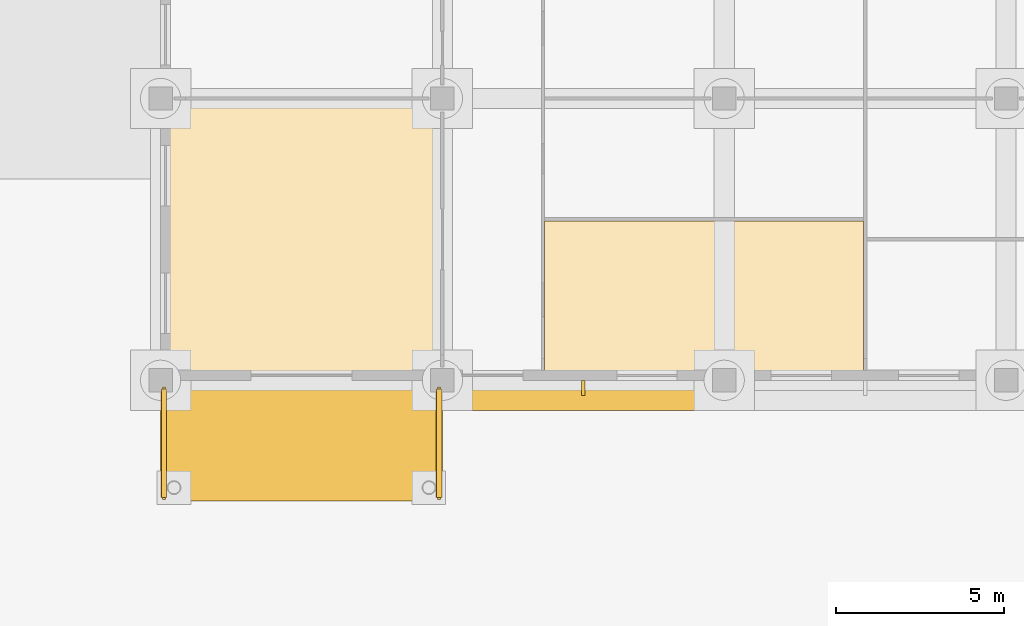
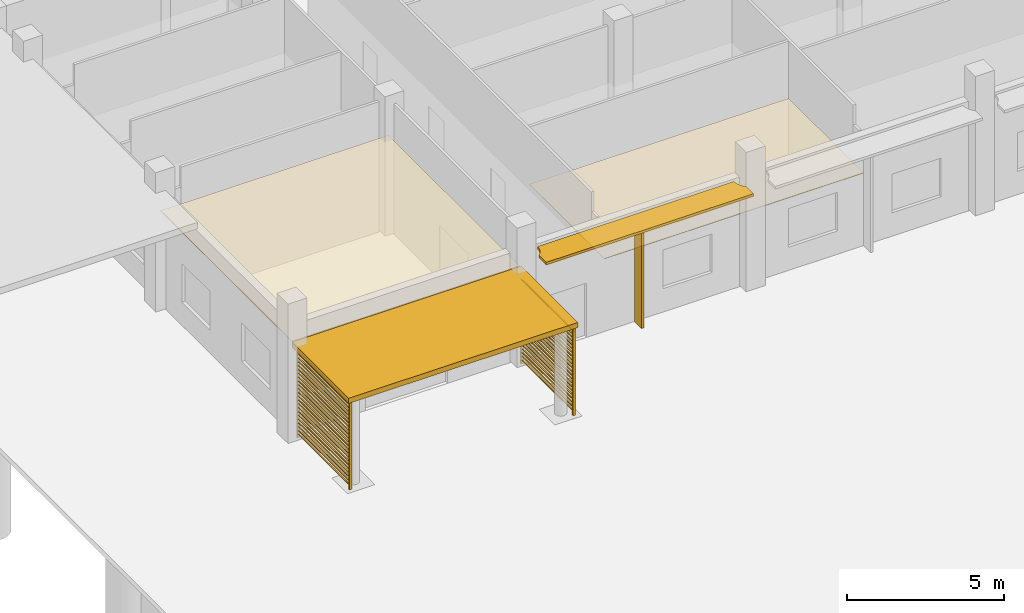
# One storey, part 116 of 146: 51 shading devices, 2 coverings.
"""IFC4 building model written with IfcOpenShell, lengths in metres."""

from ifc_helpers import new_model, si_unit, direction, frame, origin, origin_2d, place, context, subcontext, project, spatial, polyline, rectangle, outline, extrude, material, layer, layer_set, material_profile, profile_set, type_object, element, save


model = new_model("IFC4")

# Units and contexts
model_context = context("Model", 3, precision=1e-05, world=origin(), true_north=direction((0.0, 1.0)))
body_context = subcontext(model_context, "Body", "Model", "MODEL_VIEW")
ifc_project = project(units=[si_unit("LENGTHUNIT", "METRE"), si_unit("AREAUNIT", "SQUARE_METRE"), si_unit("VOLUMEUNIT", "CUBIC_METRE"), si_unit("PLANEANGLEUNIT", "RADIAN"), si_unit("MASSUNIT", "GRAM", prefix="KILO")], contexts=[model_context])

# Site, building, storey
site_placement = place(None, origin())
site = spatial("IfcSite", under=ifc_project, at=site_placement, CompositionType="ELEMENT")
building_placement = place(site_placement, origin())
building = spatial("IfcBuilding", under=site, at=building_placement, Name="Bougainvillea Quay General Hospital", CompositionType="ELEMENT")
storey_placement = place(building_placement, origin())
storey = spatial("IfcBuildingStorey", under=building, at=storey_placement, Name="L00", CompositionType="ELEMENT", Elevation=0.0)

# Shading devices
ifc_material_1 = material(Name="Powder-coated aluminium canopy soffit and fascia, white", Category="aluminium")
ifc_layer_1 = layer(ifc_material_1, 0.199951171875)
ifc_layer_set_1 = layer_set([ifc_layer_1], Name="Powder-coated aluminium canopy soffit and fascia, white")
shading_device_type_1 = type_object("IfcShadingDeviceType", Name="Entrance canopy 200", PredefinedType="AWNING", material=ifc_layer_set_1)
shading_device_1_placement = place(storey_placement, frame((0.0, 0.0, 3.39990234375)))
element("IfcShadingDevice", 1, at=shading_device_1_placement, inside=storey, type_object=shading_device_type_1, Name="Entrance canopy walkin", PredefinedType="AWNING", context=body_context, shape_type="SweptSolid", body=[
    extrude(outline(polyline([(8.39990234375, 30.0), (16.800048828125, 30.0), (16.800048828125, 33.60009765625), (8.39990234375, 33.60009765625), (8.39990234375, 30.0)])), origin(), (0.0, 0.0, 1.0), 0.2001953125),
])
ifc_material_2 = material(Name="Extruded aluminium louvre frame, powder-coated grey", Category="aluminium")
ifc_material_profile_1 = material_profile(ifc_material_2, rectangle(XDim=0.10009765625, YDim=0.06005859375, at=origin_2d()))
ifc_profile_set_1 = profile_set([ifc_material_profile_1], Name="Extruded aluminium louvre frame, powder-coated grey")
shading_device_type_2 = type_object("IfcShadingDeviceType", Name="Louvre frame post 100x60", PredefinedType="JALOUSIE", material=ifc_profile_set_1)
for number, where, z_axis, x_axis, name in (
    (2, (8.5, 30.080078125, 0.0), (0.0, 0.0, 1.0), (-1.0, 0.0, 0.0), "Louvre post W.1"),
    (3, (8.5, 33.3701171875, 0.0), (0.0, 0.0, 1.0), (-1.0, 0.0, 0.0), "Louvre post W.2"),
    (4, (16.699951171875, 30.080078125, 0.0), (0.0, 0.0, 1.0), (-1.0, 0.0, 0.0), "Louvre post E.1"),
    (5, (16.699951171875, 33.3701171875, 0.0), (0.0, 0.0, 1.0), (-1.0, 0.0, 0.0), "Louvre post E.2"),
):
    element("IfcShadingDevice", number, at=place(storey_placement, frame(where, z_axis=z_axis, x_axis=x_axis)), inside=storey, type_object=shading_device_type_2, Name=name, PredefinedType="JALOUSIE", context=body_context, shape_type="SweptSolid", body=[
        extrude(rectangle(XDim=0.10009765625, YDim=0.06005859375, at=origin_2d()), origin(), (0.0, 0.0, 1.0), 3.39990234375),
    ])
ifc_material_3 = material(Name="Extruded aluminium storm louvre blade, powder-coated grey", Category="aluminium")
ifc_material_profile_2 = material_profile(ifc_material_3, rectangle(XDim=0.219970703125, YDim=0.014892578125, at=origin_2d()))
ifc_profile_set_2 = profile_set([ifc_material_profile_2], Name="Extruded aluminium storm louvre blade, powder-coated grey")
shading_device_type_3 = type_object("IfcShadingDeviceType", Name="Storm louvre blade 220", PredefinedType="JALOUSIE", material=ifc_profile_set_2)
for number, where, z_axis, x_axis, name in (
    (6, (8.5, 30.110107421875, 0.147705078125), (0.0, 1.0, 0.0), (-0.707106781187, 0.0, 0.707106781187), "Storm louvre blade W.1"),
    (7, (8.5, 30.110107421875, 0.295654296875), (0.0, 1.0, 0.0), (-0.707106781187, 0.0, 0.707106781187), "Storm louvre blade W.2"),
    (8, (8.5, 30.110107421875, 0.443359375), (0.0, 1.0, 0.0), (-0.707106781187, 0.0, 0.707106781187), "Storm louvre blade W.3"),
    (9, (8.5, 30.110107421875, 0.59130859375), (0.0, 1.0, 0.0), (-0.707106781187, 0.0, 0.707106781187), "Storm louvre blade W.4"),
    (10, (8.5, 30.110107421875, 0.739013671875), (0.0, 1.0, 0.0), (-0.707106781187, 0.0, 0.707106781187), "Storm louvre blade W.5"),
    (11, (8.5, 30.110107421875, 0.886962890625), (0.0, 1.0, 0.0), (-0.707106781187, 0.0, 0.707106781187), "Storm louvre blade W.6"),
    (12, (8.5, 30.110107421875, 1.03466796875), (0.0, 1.0, 0.0), (-0.707106781187, 0.0, 0.707106781187), "Storm louvre blade W.7"),
    (13, (8.5, 30.110107421875, 1.1826171875), (0.0, 1.0, 0.0), (-0.707106781187, 0.0, 0.707106781187), "Storm louvre blade W.8"),
    (14, (8.5, 30.110107421875, 1.330322265625), (0.0, 1.0, 0.0), (-0.707106781187, 0.0, 0.707106781187), "Storm louvre blade W.9"),
    (15, (8.5, 30.110107421875, 1.478271484375), (0.0, 1.0, 0.0), (-0.707106781187, 0.0, 0.707106781187), "Storm louvre blade W.10"),
    (16, (8.5, 30.110107421875, 1.6259765625), (0.0, 1.0, 0.0), (-0.707106781187, 0.0, 0.707106781187), "Storm louvre blade W.11"),
    (17, (8.5, 30.110107421875, 1.77392578125), (0.0, 1.0, 0.0), (-0.707106781187, 0.0, 0.707106781187), "Storm louvre blade W.12"),
    (18, (8.5, 30.110107421875, 1.921630859375), (0.0, 1.0, 0.0), (-0.707106781187, 0.0, 0.707106781187), "Storm louvre blade W.13"),
    (19, (8.5, 30.110107421875, 2.069580078125), (0.0, 1.0, 0.0), (-0.707106781187, 0.0, 0.707106781187), "Storm louvre blade W.14"),
    (20, (8.5, 30.110107421875, 2.21728515625), (0.0, 1.0, 0.0), (-0.707106781187, 0.0, 0.707106781187), "Storm louvre blade W.15"),
    (21, (8.5, 30.110107421875, 2.365234375), (0.0, 1.0, 0.0), (-0.707106781187, 0.0, 0.707106781187), "Storm louvre blade W.16"),
    (22, (8.5, 30.110107421875, 2.512939453125), (0.0, 1.0, 0.0), (-0.707106781187, 0.0, 0.707106781187), "Storm louvre blade W.17"),
    (23, (8.5, 30.110107421875, 2.660888671875), (0.0, 1.0, 0.0), (-0.707106781187, 0.0, 0.707106781187), "Storm louvre blade W.18"),
    (24, (8.5, 30.110107421875, 2.80859375), (0.0, 1.0, 0.0), (-0.707106781187, 0.0, 0.707106781187), "Storm louvre blade W.19"),
    (25, (8.5, 30.110107421875, 2.95654296875), (0.0, 1.0, 0.0), (-0.707106781187, 0.0, 0.707106781187), "Storm louvre blade W.20"),
    (26, (8.5, 30.110107421875, 3.104248046875), (0.0, 1.0, 0.0), (-0.707106781187, 0.0, 0.707106781187), "Storm louvre blade W.21"),
    (27, (8.5, 30.110107421875, 3.252197265625), (0.0, 1.0, 0.0), (-0.707106781187, 0.0, 0.707106781187), "Storm louvre blade W.22"),
    (28, (16.699951171875, 30.110107421875, 0.147705078125), (0.0, 1.0, 0.0), (-0.707106781187, 0.0, 0.707106781187), "Storm louvre blade E.1"),
    (29, (16.699951171875, 30.110107421875, 0.295654296875), (0.0, 1.0, 0.0), (-0.707106781187, 0.0, 0.707106781187), "Storm louvre blade E.2"),
    (30, (16.699951171875, 30.110107421875, 0.443359375), (0.0, 1.0, 0.0), (-0.707106781187, 0.0, 0.707106781187), "Storm louvre blade E.3"),
    (31, (16.699951171875, 30.110107421875, 0.59130859375), (0.0, 1.0, 0.0), (-0.707106781187, 0.0, 0.707106781187), "Storm louvre blade E.4"),
    (32, (16.699951171875, 30.110107421875, 0.739013671875), (0.0, 1.0, 0.0), (-0.707106781187, 0.0, 0.707106781187), "Storm louvre blade E.5"),
    (33, (16.699951171875, 30.110107421875, 0.886962890625), (0.0, 1.0, 0.0), (-0.707106781187, 0.0, 0.707106781187), "Storm louvre blade E.6"),
    (34, (16.699951171875, 30.110107421875, 1.03466796875), (0.0, 1.0, 0.0), (-0.707106781187, 0.0, 0.707106781187), "Storm louvre blade E.7"),
    (35, (16.699951171875, 30.110107421875, 1.1826171875), (0.0, 1.0, 0.0), (-0.707106781187, 0.0, 0.707106781187), "Storm louvre blade E.8"),
    (36, (16.699951171875, 30.110107421875, 1.330322265625), (0.0, 1.0, 0.0), (-0.707106781187, 0.0, 0.707106781187), "Storm louvre blade E.9"),
    (37, (16.699951171875, 30.110107421875, 1.478271484375), (0.0, 1.0, 0.0), (-0.707106781187, 0.0, 0.707106781187), "Storm louvre blade E.10"),
    (38, (16.699951171875, 30.110107421875, 1.6259765625), (0.0, 1.0, 0.0), (-0.707106781187, 0.0, 0.707106781187), "Storm louvre blade E.11"),
    (39, (16.699951171875, 30.110107421875, 1.77392578125), (0.0, 1.0, 0.0), (-0.707106781187, 0.0, 0.707106781187), "Storm louvre blade E.12"),
    (40, (16.699951171875, 30.110107421875, 1.921630859375), (0.0, 1.0, 0.0), (-0.707106781187, 0.0, 0.707106781187), "Storm louvre blade E.13"),
    (41, (16.699951171875, 30.110107421875, 2.069580078125), (0.0, 1.0, 0.0), (-0.707106781187, 0.0, 0.707106781187), "Storm louvre blade E.14"),
    (42, (16.699951171875, 30.110107421875, 2.21728515625), (0.0, 1.0, 0.0), (-0.707106781187, 0.0, 0.707106781187), "Storm louvre blade E.15"),
    (43, (16.699951171875, 30.110107421875, 2.365234375), (0.0, 1.0, 0.0), (-0.707106781187, 0.0, 0.707106781187), "Storm louvre blade E.16"),
    (44, (16.699951171875, 30.110107421875, 2.512939453125), (0.0, 1.0, 0.0), (-0.707106781187, 0.0, 0.707106781187), "Storm louvre blade E.17"),
    (45, (16.699951171875, 30.110107421875, 2.660888671875), (0.0, 1.0, 0.0), (-0.707106781187, 0.0, 0.707106781187), "Storm louvre blade E.18"),
    (46, (16.699951171875, 30.110107421875, 2.80859375), (0.0, 1.0, 0.0), (-0.707106781187, 0.0, 0.707106781187), "Storm louvre blade E.19"),
    (47, (16.699951171875, 30.110107421875, 2.95654296875), (0.0, 1.0, 0.0), (-0.707106781187, 0.0, 0.707106781187), "Storm louvre blade E.20"),
    (48, (16.699951171875, 30.110107421875, 3.104248046875), (0.0, 1.0, 0.0), (-0.707106781187, 0.0, 0.707106781187), "Storm louvre blade E.21"),
    (49, (16.699951171875, 30.110107421875, 3.252197265625), (0.0, 1.0, 0.0), (-0.707106781187, 0.0, 0.707106781187), "Storm louvre blade E.22"),
):
    element("IfcShadingDevice", number, at=place(storey_placement, frame(where, z_axis=z_axis, x_axis=x_axis)), inside=storey, type_object=shading_device_type_3, Name=name, PredefinedType="JALOUSIE", context=body_context, shape_type="SweptSolid", body=[
        extrude(rectangle(XDim=0.219970703125, YDim=0.014892578125, at=origin_2d()), origin(), (0.0, 0.0, 1.0), 3.22998046875),
    ])
ifc_layer_2 = layer(ifc_material_1, 0.10009765625)
ifc_layer_set_2 = layer_set([ifc_layer_2], Name="Powder-coated aluminium canopy soffit and fascia, white")
shading_device_type_4 = type_object("IfcShadingDeviceType", Name="Sunshade 100", PredefinedType="USERDEFINED", material=ifc_layer_set_2)
shading_device_2_placement = place(storey_placement, frame((0.0, 0.0, 4.050048828125)))
element("IfcShadingDevice", 50, at=shading_device_2_placement, inside=storey, type_object=shading_device_type_4, Name="Sunshade 0", ObjectType="Sunshade", PredefinedType="USERDEFINED", context=body_context, shape_type="SweptSolid", body=[
    extrude(outline(polyline([(24.60009765625, 33.60009765625), (17.39990234375, 33.60009765625), (17.388427734375, 33.48291015625), (17.354248046875, 33.370361328125), (17.298828125, 33.2666015625), (17.199951171875, 33.15380859375), (17.199951171875, 32.699951171875), (24.800048828125, 32.699951171875), (24.800048828125, 33.15380859375), (24.701171875, 33.2666015625), (24.645751953125, 33.370361328125), (24.611572265625, 33.48291015625), (24.60009765625, 33.60009765625)])), origin(), (0.0, 0.0, 1.0), 0.099853515625),
])

# Coverings
ifc_material_4 = material(Name="Mineral fibre ceiling tile")
ifc_layer_3 = layer(ifc_material_4, 0.030029296875)
ifc_layer_set_3 = layer_set([ifc_layer_3], Name="Mineral fibre ceiling tile")
covering_type = type_object("IfcCoveringType", Name="Suspended ceiling mineral fibre tile", PredefinedType="CEILING", material=ifc_layer_set_3)
covering_1_placement = place(storey_placement, frame((0.0, 0.0, 3.60009765625)))
element("IfcCovering", 51, at=covering_1_placement, inside=storey, type_object=covering_type, Name="Ceiling Emergency Walk-in Waiting Hall", PredefinedType="CEILING", context=body_context, shape_type="SweptSolid", body=[
    extrude(outline(polyline([(16.75, 33.60009765625), (16.75, 41.949951171875), (8.39990234375, 41.949951171875), (8.39990234375, 33.60009765625), (16.75, 33.60009765625)])), origin(), (0.0, 0.0, 1.0), 0.02978515625),
])
covering_2_placement = place(storey_placement, frame((0.0, 0.0, 2.800048828125)))
element("IfcCovering", 52, at=covering_2_placement, inside=storey, type_object=covering_type, Name="Ceiling Emergency Triage Room 04", PredefinedType="CEILING", context=body_context, shape_type="SweptSolid", body=[
    extrude(outline(polyline([(29.35009765625, 33.60009765625), (29.35009765625, 38.35009765625), (19.85009765625, 38.35009765625), (19.85009765625, 33.60009765625), (29.35009765625, 33.60009765625)])), origin(), (0.0, 0.0, 1.0), 0.030029296875),
])

# Shading device
ifc_material_5 = material(Name="Powder-coated aluminium fin, white", Category="aluminium")
ifc_material_profile_3 = material_profile(ifc_material_5, rectangle(XDim=0.449951171875, YDim=0.10009765625, at=origin_2d()))
ifc_profile_set_3 = profile_set([ifc_material_profile_3], Name="Powder-coated aluminium fin, white")
shading_device_type_5 = type_object("IfcShadingDeviceType", Name="Vertical fin 450x100", PredefinedType="USERDEFINED", material=ifc_profile_set_3)
shading_device_3_placement = place(storey_placement, frame((21.0, 33.375, 0.0), z_axis=(0.0, 0.0, 1.0), x_axis=(0.0, -1.0, 0.0)))
element("IfcShadingDevice", 53, at=shading_device_3_placement, inside=storey, type_object=shading_device_type_5, Name="Vertical fin 03b 1", ObjectType="Vertical fin", PredefinedType="USERDEFINED", context=body_context, shape_type="SweptSolid", body=[
    extrude(rectangle(XDim=0.449951171875, YDim=0.10009765625, at=origin_2d()), origin(), (0.0, 0.0, 1.0), 4.050048828125),
])

save(model, "model.ifc")
